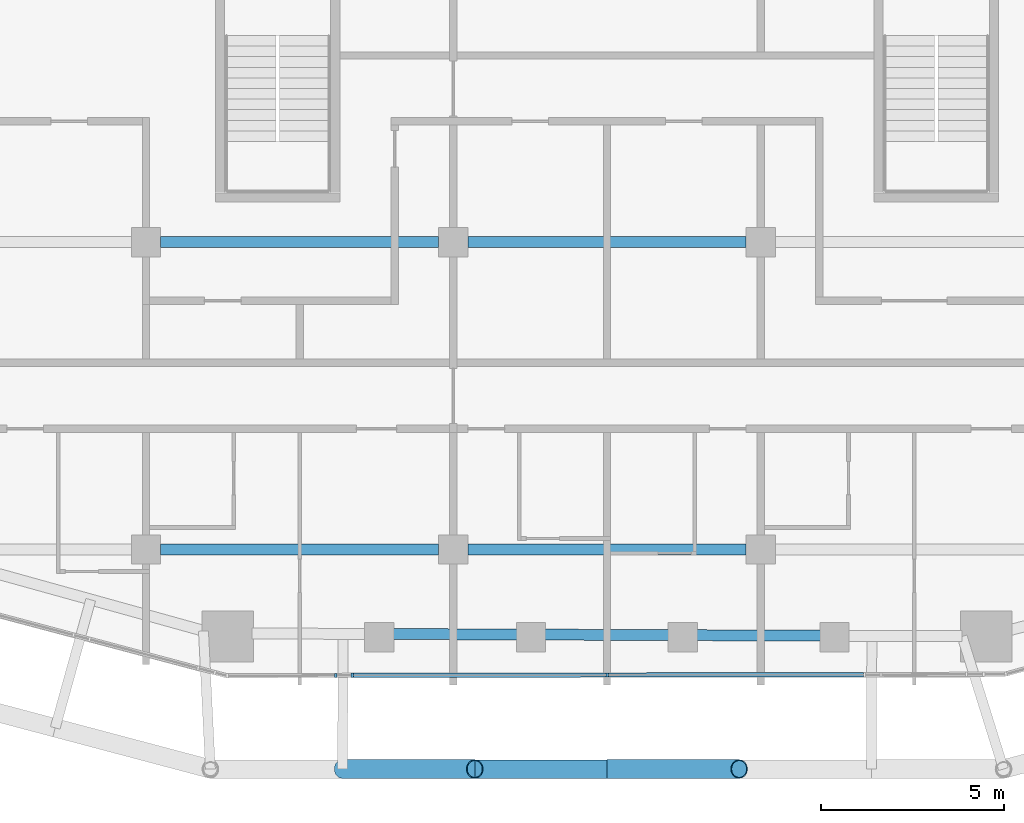
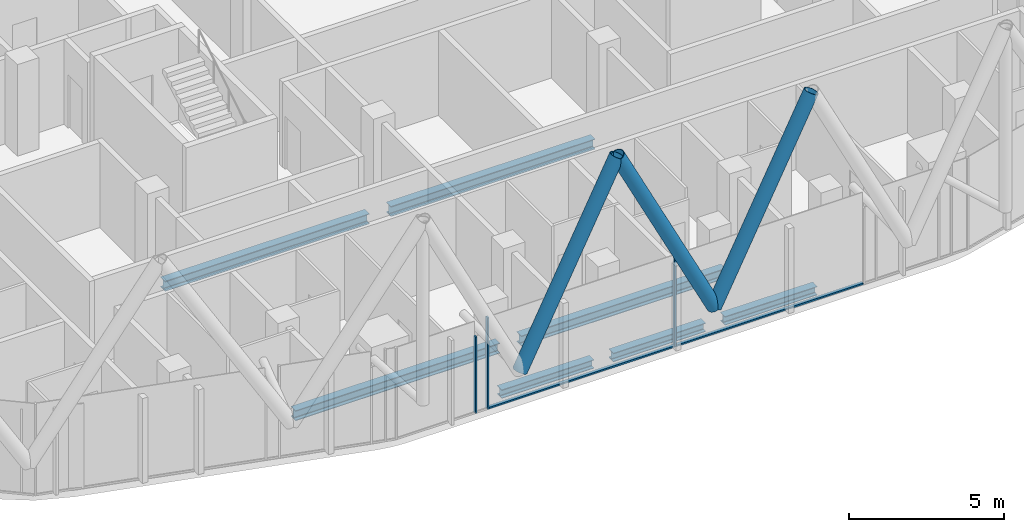
# One storey, part 3 of 31: 8 members, 7 beams, 2 elements without a shape of their own.
"""IFC4 building model written with IfcOpenShell, lengths in metres."""

from ifc_helpers import new_model, si_unit, direction, frame, origin, origin_2d, place, context, subcontext, project, spatial, rectangle, hollow_circle, i_section, extrude, material, layer, layer_set, material_profile, profile_set, type_object, element, aggregate, save


model = new_model("IFC4")

# Units and contexts
model_context = context("Model", 3, precision=1e-05, world=origin(), true_north=direction((0.0, 1.0)))
body_context = subcontext(model_context, "Body", "Model", "MODEL_VIEW")
ifc_project = project(units=[si_unit("LENGTHUNIT", "METRE"), si_unit("AREAUNIT", "SQUARE_METRE"), si_unit("VOLUMEUNIT", "CUBIC_METRE"), si_unit("PLANEANGLEUNIT", "RADIAN"), si_unit("MASSUNIT", "GRAM", prefix="KILO")], contexts=[model_context])

# Site, building, storey
site_placement = place(None, origin())
site = spatial("IfcSite", under=ifc_project, at=site_placement, CompositionType="ELEMENT")
building_placement = place(site_placement, origin())
building = spatial("IfcBuilding", under=site, at=building_placement, Name="Marenta Gate Hotel Tower", CompositionType="ELEMENT")
storey_placement = place(building_placement, frame((0.0, 0.0, 234.5)))
storey = spatial("IfcBuildingStorey", under=building, at=storey_placement, Name="L55", CompositionType="ELEMENT", Elevation=234.5)

# Members
ifc_material_1 = material(Name="Steel S355J2W", Category="steel")
ifc_material_profile_1 = material_profile(ifc_material_1, hollow_circle(Radius=0.25390625, WallThickness=0.02490234375, at=origin_2d()), Name="CHS 508x25")
ifc_profile_set_1 = profile_set([ifc_material_profile_1], Name="Steel S355J2W")
member_type_1 = type_object("IfcMemberType", Name="Diagrid diagonal Z3 CHS 508x25", PredefinedType="BRACE", material=ifc_profile_set_1)
for number, where, z_axis, x_axis, name in (
    (1, (0.0, -31.199951171875, 3.139892578125), (0.44849810728, 0.0, 0.893783781329), (0.0, 1.0, 0.0), "L55-DG-17"),
    (2, (0.0, -31.199951171875, 3.139892578125), (-0.44849810728, 0.0, 0.893783781329), (0.0, -1.0, 0.0), "L55-DG-18"),
    (3, (-7.22607421875, -31.199951171875, 3.139892578125), (0.44849810728, 0.0, 0.893783781329), (0.0, 1.0, 0.0), "L55-DG-19"),
):
    element("IfcMember", number, at=place(storey_placement, frame(where, z_axis=z_axis, x_axis=x_axis)), inside=storey, type_object=member_type_1, Name=name, PredefinedType="BRACE", context=body_context, shape_type="SweptSolid", body=[
        extrude(hollow_circle(Radius=0.25390625, WallThickness=0.02490234375, at=origin_2d()), origin(), (0.0, 0.0, 1.0), 8.055908203125),
    ])

# Beams
ifc_material_2 = material(Name="Steel S355", Category="steel")
ifc_material_profile_2 = material_profile(ifc_material_2, i_section(OverallWidth=0.300048828125, OverallDepth=0.340087890625, WebThickness=0.011962890625, FlangeThickness=0.021484375, FilletRadius=0.027099609375, at=origin_2d()), Name="HEB 340")
ifc_profile_set_2 = profile_set([ifc_material_profile_2], Name="Steel S355")
beam_type_1 = type_object("IfcBeamType", Name="Edge beam HEB 340", PredefinedType="SPANDREL", material=ifc_profile_set_2)
for number, where, z_axis, x_axis, name in (
    (4, (5.860107421875, -27.555419921875, -0.429931640625), (-0.999992599416, 0.003847221457, 0.0), (-0.003847221457, -0.999992599416, 0.0), "L55-EB-33"),
    (5, (1.71337890625, -27.539306640625, -0.429931640625), (-0.999992599416, 0.003847221457, 0.0), (-0.003847221457, -0.999992599416, 0.0), "L55-EB-34"),
    (6, (-2.433349609375, -27.5234375, -0.429931640625), (-0.999992599416, 0.003847221457, 0.0), (-0.003847221457, -0.999992599416, 0.0), "L55-EB-35"),
):
    element("IfcBeam", number, at=place(storey_placement, frame(where, z_axis=z_axis, x_axis=x_axis)), inside=storey, type_object=beam_type_1, Name=name, PredefinedType="SPANDREL", context=body_context, shape_type="SweptSolid", body=[
        extrude(i_section(OverallWidth=0.300048828125, OverallDepth=0.340087890625, WebThickness=0.011962890625, FlangeThickness=0.021484375, FilletRadius=0.027099609375, at=origin_2d()), origin(), (0.0, 0.0, 1.0), 3.4267578125),
    ])
ifc_material_3 = material(Name="Steel S355", Category="steel")
ifc_material_profile_3 = material_profile(ifc_material_3, i_section(OverallWidth=0.300048828125, OverallDepth=0.39990234375, WebThickness=0.013427734375, FlangeThickness=0.02392578125, FilletRadius=0.027099609375, at=origin_2d()), Name="HEB 400")
ifc_profile_set_3 = profile_set([ifc_material_profile_3], Name="Steel S355")
beam_type_2 = type_object("IfcBeamType", Name="Girder HEB 400", PredefinedType="BEAM", material=ifc_profile_set_3)
beam_1_placement = place(storey_placement, frame((-12.199951171875, -25.199951171875, -0.4599609375), z_axis=(1.0, 0.0, 0.0), x_axis=(0.0, 1.0, 0.0)))
element("IfcBeam", 7, at=beam_1_placement, inside=storey, type_object=beam_type_2, Name="L55-GD-2", PredefinedType="BEAM", context=body_context, shape_type="SweptSolid", body=[
    extrude(i_section(OverallWidth=0.300048828125, OverallDepth=0.39990234375, WebThickness=0.013427734375, FlangeThickness=0.02392578125, FilletRadius=0.027099609375, at=origin_2d()), origin(), (0.0, 0.0, 1.0), 7.599853515625),
])
beam_2_placement = place(storey_placement, frame((-3.800048828125, -25.199951171875, -0.4599609375), z_axis=(1.0, 0.0, 0.0), x_axis=(0.0, 1.0, 0.0)))
element("IfcBeam", 8, at=beam_2_placement, inside=storey, type_object=beam_type_2, Name="L55-GD-3", PredefinedType="BEAM", context=body_context, shape_type="SweptSolid", body=[
    extrude(i_section(OverallWidth=0.300048828125, OverallDepth=0.39990234375, WebThickness=0.013427734375, FlangeThickness=0.02392578125, FilletRadius=0.027099609375, at=origin_2d()), origin(), (0.0, 0.0, 1.0), 7.60009765625),
])
beam_3_placement = place(storey_placement, frame((-12.199951171875, -16.800048828125, -0.4599609375), z_axis=(1.0, 0.0, 0.0), x_axis=(0.0, 1.0, 0.0)))
element("IfcBeam", 9, at=beam_3_placement, inside=storey, type_object=beam_type_2, Name="L55-GD-8", PredefinedType="BEAM", context=body_context, shape_type="SweptSolid", body=[
    extrude(i_section(OverallWidth=0.300048828125, OverallDepth=0.39990234375, WebThickness=0.013427734375, FlangeThickness=0.02392578125, FilletRadius=0.027099609375, at=origin_2d()), origin(), (0.0, 0.0, 1.0), 7.599853515625),
])
beam_4_placement = place(storey_placement, frame((-3.800048828125, -16.800048828125, -0.4599609375), z_axis=(1.0, 0.0, 0.0), x_axis=(0.0, 1.0, 0.0)))
element("IfcBeam", 10, at=beam_4_placement, inside=storey, type_object=beam_type_2, Name="L55-GD-9", PredefinedType="BEAM", context=body_context, shape_type="SweptSolid", body=[
    extrude(i_section(OverallWidth=0.300048828125, OverallDepth=0.39990234375, WebThickness=0.013427734375, FlangeThickness=0.02392578125, FilletRadius=0.027099609375, at=origin_2d()), origin(), (0.0, 0.0, 1.0), 7.60009765625),
])

# Curtain wall, member
ifc_material_4 = material(Name="Tinted insulated glass in bronze anodised frame", Category="glass")
ifc_layer = layer(ifc_material_4, 0.1201171875)
ifc_layer_set = layer_set([ifc_layer], Name="Tinted insulated glass in bronze anodised frame")
curtain_wall_type = type_object("IfcCurtainWallType", Name="Tower unitised curtain wall CW1", PredefinedType="NOTDEFINED", material=ifc_layer_set)
curtain_wall_1_placement = place(storey_placement, origin())
curtain_wall_1 = element("IfcCurtainWall", 11, at=curtain_wall_1_placement, inside=storey, type_object=curtain_wall_type, Name="CW1 run G20", PredefinedType="NOTDEFINED")
ifc_material_5 = material(Name="Bronze anodised aluminium", Category="aluminium")
ifc_material_profile_4 = material_profile(ifc_material_5, rectangle(XDim=0.1201171875, YDim=0.06005859375, at=origin_2d()), Name="Mullion CW1 60x120 bronze anodised aluminium")
ifc_profile_set_4 = profile_set([ifc_material_profile_4], Name="Bronze anodised aluminium")
member_type_2 = type_object("IfcMemberType", Name="Mullion CW1 60x120 bronze anodised aluminium", PredefinedType="MULLION", material=ifc_profile_set_4)
member_1_placement = place(storey_placement, frame((-7.41259765625, -28.642578125, 0.0), z_axis=(0.0, 0.0, 1.0), x_axis=(-0.001766001654, 0.999998440618, 0.0)))
member_1 = element("IfcMember", 12, at=member_1_placement, type_object=member_type_2, Name="CW1 mullion 1", PredefinedType="MULLION", context=body_context, shape_type="SweptSolid", body=[
    extrude(rectangle(XDim=0.1201171875, YDim=0.06005859375, at=origin_2d()), origin(), (0.0, 0.0, 1.0), 3.00048828125),
])
aggregate(curtain_wall_1, [member_1])

# Curtain wall, members
curtain_wall_2_placement = place(storey_placement, origin())
curtain_wall_2 = element("IfcCurtainWall", 13, at=curtain_wall_2_placement, inside=storey, type_object=curtain_wall_type, Name="CW1 run G21", PredefinedType="NOTDEFINED")
member_2_placement = place(storey_placement, frame((-6.959716796875, -28.641845703125, 0.0), z_axis=(0.0, 0.0, 1.0), x_axis=(-0.001635817263, 0.99999866205, 0.0)))
member_2 = element("IfcMember", 14, at=member_2_placement, type_object=member_type_2, Name="CW1 mullion 1", PredefinedType="MULLION", context=body_context, shape_type="SweptSolid", body=[
    extrude(rectangle(XDim=0.1201171875, YDim=0.06005859375, at=origin_2d()), origin(), (0.0, 0.0, 1.0), 3.60009765625),
])
member_3_placement = place(storey_placement, frame((0.009765625, -28.63037109375, 0.0), z_axis=(0.0, 0.0, 1.0), x_axis=(-0.001635817263, 0.99999866205, 0.0)))
member_3 = element("IfcMember", 15, at=member_3_placement, type_object=member_type_2, Name="CW1 mullion 2", PredefinedType="MULLION", context=body_context, shape_type="SweptSolid", body=[
    extrude(rectangle(XDim=0.1201171875, YDim=0.06005859375, at=origin_2d()), origin(), (0.0, 0.0, 1.0), 3.60009765625),
])
ifc_material_6 = material(Name="Bronze anodised aluminium", Category="aluminium")
ifc_material_profile_5 = material_profile(ifc_material_6, rectangle(XDim=0.1201171875, YDim=0.06005859375, at=origin_2d()), Name="Transom CW1 60x120 bronze anodised aluminium")
ifc_profile_set_5 = profile_set([ifc_material_profile_5], Name="Bronze anodised aluminium")
member_type_3 = type_object("IfcMemberType", Name="Transom CW1 60x120 bronze anodised aluminium", PredefinedType="USERDEFINED", material=ifc_profile_set_5)
member_4_placement = place(storey_placement, frame((-6.9296875, -28.6416015625, 0.030029296875), z_axis=(0.999998679066, 0.001625382115, 0.0), x_axis=(-0.001625382115, 0.999998679066, 0.0)))
member_4 = element("IfcMember", 16, at=member_4_placement, type_object=member_type_3, Name="CW1 transom 1.1", ObjectType="TRANSOM", PredefinedType="USERDEFINED", context=body_context, shape_type="SweptSolid", body=[
    extrude(rectangle(XDim=0.1201171875, YDim=0.06005859375, at=origin_2d()), origin(), (0.0, 0.0, 1.0), 6.909423828125),
])
member_5_placement = place(storey_placement, frame((0.039794921875, -28.63037109375, 0.030029296875), z_axis=(0.999998644769, 0.001646347776, 0.0), x_axis=(-0.001646347776, 0.999998644769, 0.0)))
member_5 = element("IfcMember", 17, at=member_5_placement, type_object=member_type_3, Name="CW1 transom 2.1", ObjectType="TRANSOM", PredefinedType="USERDEFINED", context=body_context, shape_type="SweptSolid", body=[
    extrude(rectangle(XDim=0.1201171875, YDim=0.06005859375, at=origin_2d()), origin(), (0.0, 0.0, 1.0), 6.9697265625),
])
aggregate(curtain_wall_2, [member_2, member_3, member_4, member_5])

save(model, "model.ifc")
